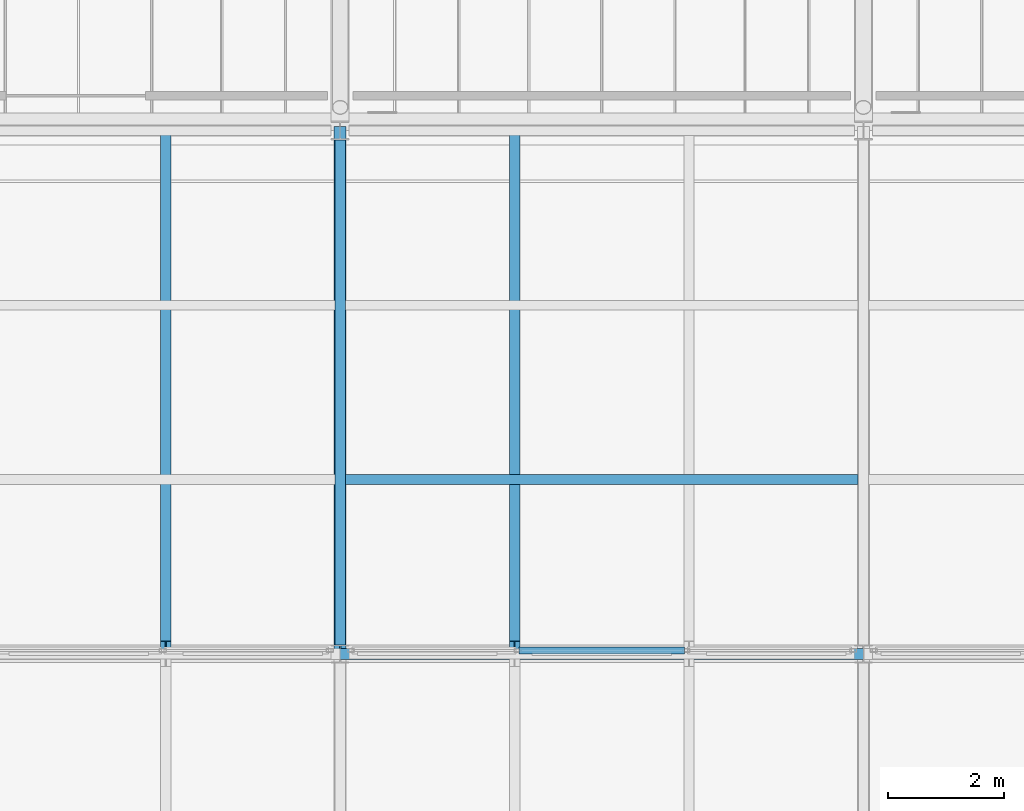
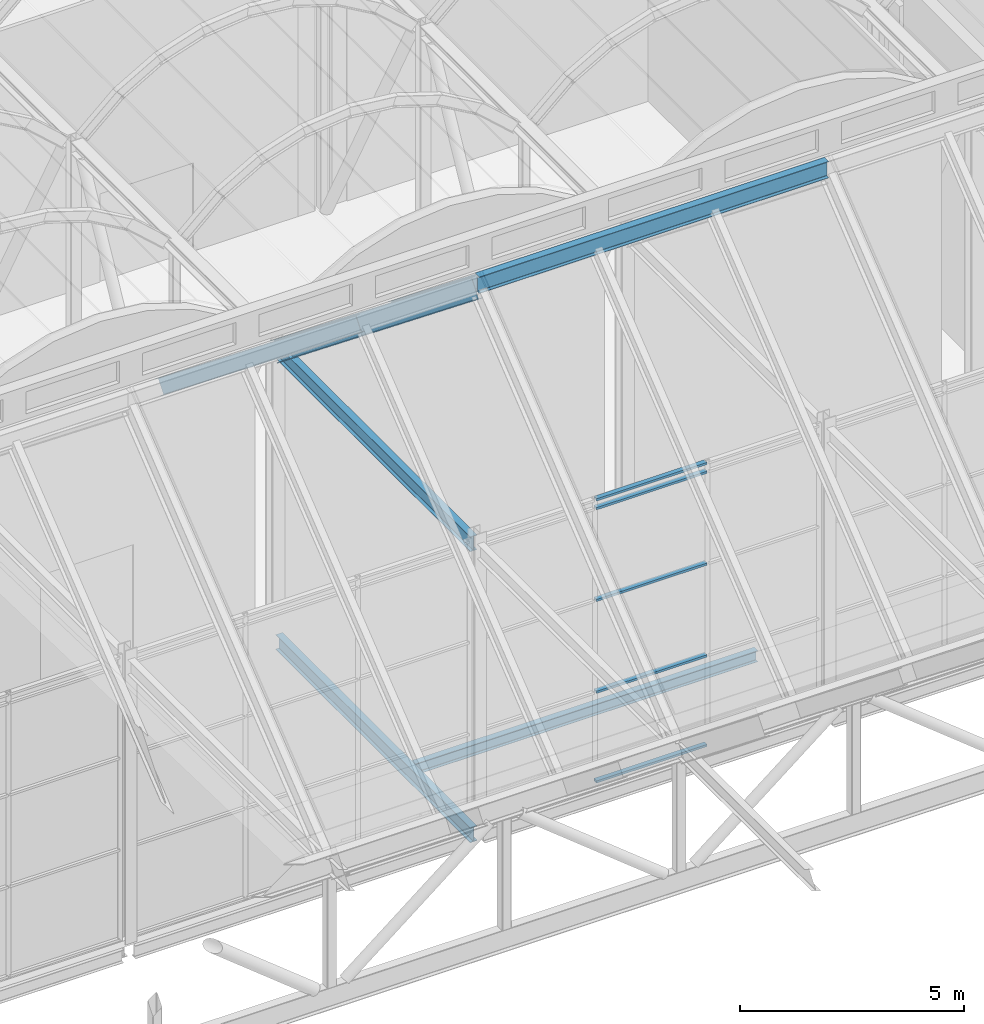
# One storey, part 50 of 144: 8 members, 4 beams, 1 element without a shape of its own.
"""IFC4 building model written with IfcOpenShell, lengths in metres."""

import ifcopenshell
import ifcopenshell.guid

model = None  # the IFC model being written
_history = None  # IfcOwnerHistory: only IFC2X3 demands one
_inside = {}  # id of a spatial element -> (the spatial element, [elements in it])
_under = {}  # id of a project, library or spatial element -> (it, [spatial elements below it])
_declared = {}  # id of a project -> (the project, [libraries it declares])
_typed = {}  # id of a type object -> (the type object, [elements of that type])
_made_of = {}  # id of a material, layer set ... -> (it, [elements and type objects made of it])


def new_model(schema):
    """Start an empty IFC model of exactly this schema.

    Asked for "IFC4X3", IfcOpenShell would pick the latest addendum, in which some entities
    have other attributes; the version numbers below select the first issue.
    IFC2X3 requires an IfcOwnerHistory on every rooted entity: one is made here for all.
    """
    global model, _history
    if schema == "IFC4X3":
        model = ifcopenshell.file(schema_version=(4, 3, 0, 0))
    else:
        model = ifcopenshell.file(schema=schema)
    _inside.clear()
    _under.clear()
    _declared.clear()
    _typed.clear()
    _made_of.clear()
    _history = None
    if model.schema == "IFC2X3":
        org = make("IfcOrganization", Name="unknown")
        user = make(
            "IfcPersonAndOrganization",
            ThePerson=make("IfcPerson", FamilyName="unknown"),
            TheOrganization=org,
        )
        app = make(
            "IfcApplication",
            ApplicationDeveloper=org,
            Version="unknown",
            ApplicationFullName="unknown",
            ApplicationIdentifier="unknown",
        )
        _history = make(
            "IfcOwnerHistory",
            OwningUser=user,
            OwningApplication=app,
            ChangeAction="ADDED",
            CreationDate=0,
        )
    return model


def make(cls, **values):
    """One entity of the class cls with the attributes given. An attribute that is None is left unset."""
    return model.create_entity(
        cls, **{name: value for name, value in values.items() if value is not None}
    )


def rooted(cls, **values):
    """An entity with a GlobalId (a new one), such as an element, a storey or a relation."""
    return make(cls, GlobalId=ifcopenshell.guid.new(), OwnerHistory=_history, **values)


def si_unit(unit_type, name, prefix=None):
    """IfcSIUnit, for example si_unit("LENGTHUNIT", "METRE", prefix="MILLI")."""
    return make("IfcSIUnit", UnitType=unit_type, Prefix=prefix, Name=name)


def assignment(units):
    """IfcUnitAssignment: the units of a project."""
    return None if units is None else make("IfcUnitAssignment", Units=units)


def point(xyz):
    """IfcCartesianPoint."""
    return None if xyz is None else make("IfcCartesianPoint", Coordinates=xyz)


def direction(xyz):
    """IfcDirection."""
    return None if xyz is None else make("IfcDirection", DirectionRatios=xyz)


def frame(location, z_axis=None, x_axis=None):
    """IfcAxis2Placement3D, a coordinate frame: its origin and axes. An axis left out is left unset."""
    return make(
        "IfcAxis2Placement3D",
        Location=point(location),
        Axis=direction(z_axis),
        RefDirection=direction(x_axis),
    )


def frame_2d(location, x_axis=None):
    """IfcAxis2Placement2D, a coordinate frame in the plane: its origin and x axis."""
    return make(
        "IfcAxis2Placement2D", Location=point(location), RefDirection=direction(x_axis)
    )


def origin():
    """The frame at (0, 0, 0) with its axes left unset."""
    return frame((0.0, 0.0, 0.0))


def origin_2d():
    """The frame at (0, 0) in the plane with its x axis left unset."""
    return frame_2d((0.0, 0.0))


def place(relative_to, where):
    """IfcLocalPlacement: puts the frame where relative to a parent placement (None: the world)."""
    return make(
        "IfcLocalPlacement", PlacementRelTo=relative_to, RelativePlacement=where
    )


def context(
    kind, dimensions, precision=None, world=None, true_north=None, identifier=None
):
    """IfcGeometricRepresentationContext, for example the 3D "Model" context."""
    return make(
        "IfcGeometricRepresentationContext",
        ContextIdentifier=identifier,
        ContextType=kind,
        CoordinateSpaceDimension=dimensions,
        Precision=precision,
        WorldCoordinateSystem=world,
        TrueNorth=true_north,
    )


def subcontext(parent, identifier, kind, view, scale=None):
    """IfcGeometricRepresentationSubContext, for example "Body" below "Model"."""
    return make(
        "IfcGeometricRepresentationSubContext",
        ContextIdentifier=identifier,
        ContextType=kind,
        ParentContext=parent,
        TargetScale=scale,
        TargetView=view,
    )


def project(units=None, contexts=None):
    """IfcProject with its units and contexts."""
    return rooted(
        "IfcProject",
        Name="project",
        RepresentationContexts=contexts,
        UnitsInContext=assignment(units),
    )


def spatial(cls, under=None, at=None, **own):
    """A site, building, storey or space (cls), placed at a placement, below another one or the project."""
    s = rooted(cls, ObjectPlacement=at, **own)
    if under is not None:
        _under.setdefault(under.id(), (under, []))[1].append(s)
    return s


def profile(cls, at=None, kind="AREA", **sizes):
    """A parametric profile (cls). Its sizes go by their IFC names, for example OverallWidth=200.0."""
    return make(cls, ProfileType=kind, Position=at, **sizes)


def hollow_rectangle(**sizes):
    """IfcRectangleHollowProfileDef."""
    return profile("IfcRectangleHollowProfileDef", **sizes)


def i_section(**sizes):
    """IfcIShapeProfileDef."""
    return profile("IfcIShapeProfileDef", **sizes)


def extrude(swept, where, along, depth):
    """IfcExtrudedAreaSolid: the profile swept, set in the frame where, extruded along a direction by depth."""
    return make(
        "IfcExtrudedAreaSolid",
        SweptArea=swept,
        Position=where,
        ExtrudedDirection=direction(along),
        Depth=depth,
    )


def shape(context_of_items, identifier, shape_type, items):
    """IfcShapeRepresentation: the items that make up one representation, for example the "Body"."""
    return make(
        "IfcShapeRepresentation",
        ContextOfItems=context_of_items,
        RepresentationIdentifier=identifier,
        RepresentationType=shape_type,
        Items=items,
    )


def material(Name=None, Category=None):
    """IfcMaterial."""
    return make("IfcMaterial", Name=Name, Category=Category)


def layer(
    of_material, thickness, ventilated=None, Name=None, Category=None, Priority=None
):
    """IfcMaterialLayer: one layer of a wall or slab, of a material (None: an air gap)."""
    return make(
        "IfcMaterialLayer",
        Material=of_material,
        LayerThickness=thickness,
        IsVentilated=ventilated,
        Name=Name,
        Category=Category,
        Priority=Priority,
    )


def layer_set(layers, Name=None):
    """IfcMaterialLayerSet."""
    return make("IfcMaterialLayerSet", MaterialLayers=layers, LayerSetName=Name)


def material_profile(
    of_material, cross_section, Name=None, Category=None, Priority=None
):
    """IfcMaterialProfile: a cross section and its material."""
    return make(
        "IfcMaterialProfile",
        Name=Name,
        Material=of_material,
        Profile=cross_section,
        Priority=Priority,
        Category=Category,
    )


def profile_set(profiles, Name=None, composite=None):
    """IfcMaterialProfileSet."""
    return make(
        "IfcMaterialProfileSet",
        Name=Name,
        MaterialProfiles=profiles,
        CompositeProfile=composite,
    )


def made_of(thing, what):
    """Note that an element or type object is made of a material, layer set ...; save() writes the relation."""
    if what is not None:
        _made_of.setdefault(what.id(), (what, []))[1].append(thing)
    return thing


def type_object(cls, material=None, **own):
    """A type object (cls), such as IfcWallType, which elements share."""
    return made_of(rooted(cls, **own), material)


def element(
    cls,
    number,
    at=None,
    inside=None,
    cuts=None,
    type_object=None,
    material=None,
    context=None,
    identifier="Body",
    shape_type=None,
    held_by="IfcProductDefinitionShape",
    body=None,
    shapes=None,
    **own,
):
    """One element of the class cls, such as IfcWall. Its Tag is "e" and its number.

    at: its placement. inside: the storey or other place that contains it. cuts: it is an
    opening in that element (IfcRelVoidsElement). A single representation is given by context,
    identifier, shape_type and body (its items); several are given by shapes. held_by: the class
    of the entity that holds the representations. save() writes the other relations.
    """
    e = rooted(cls, Tag="e%d" % number, ObjectPlacement=at, **own)
    if body is not None:
        shapes = [shape(context, identifier, shape_type, body)]
    if shapes is not None:
        e.Representation = make(held_by, Representations=shapes)
    if inside is not None:
        _inside.setdefault(inside.id(), (inside, []))[1].append(e)
    if cuts is not None:
        rooted(
            "IfcRelVoidsElement", RelatingBuildingElement=cuts, RelatedOpeningElement=e
        )
    if type_object is not None:
        _typed.setdefault(type_object.id(), (type_object, []))[1].append(e)
    return made_of(e, material)


def aggregate(whole, parts):
    """IfcRelAggregates: a whole, such as a stair, and the parts it consists of."""
    return rooted("IfcRelAggregates", RelatingObject=whole, RelatedObjects=parts)


def save(model, path):
    """Write the relations noted so far, then the file.

    IfcRelAggregates (storeys below a building ...), IfcRelContainedInSpatialStructure (elements
    in a storey), IfcRelDefinesByType, IfcRelAssociatesMaterial and IfcRelDeclares: one each for
    every whole, place, type object, material and project.
    """
    for whole, parts in _under.values():
        aggregate(whole, parts)
    for where, things in _inside.values():
        rooted(
            "IfcRelContainedInSpatialStructure",
            RelatedElements=things,
            RelatingStructure=where,
        )
    for kind, things in _typed.values():
        rooted("IfcRelDefinesByType", RelatedObjects=things, RelatingType=kind)
    for what, things in _made_of.values():
        rooted("IfcRelAssociatesMaterial", RelatedObjects=things, RelatingMaterial=what)
    for by, libraries in _declared.values():
        rooted("IfcRelDeclares", RelatingContext=by, RelatedDefinitions=libraries)
    model.write(path)


model = new_model("IFC4")

# Units and contexts
model_context = context("Model", 3, precision=1e-05, world=origin(), true_north=direction((0.0, 1.0)))
body_context = subcontext(model_context, "Body", "Model", "MODEL_VIEW")
ifc_project = project(units=[si_unit("LENGTHUNIT", "METRE"), si_unit("AREAUNIT", "SQUARE_METRE"), si_unit("VOLUMEUNIT", "CUBIC_METRE"), si_unit("PLANEANGLEUNIT", "RADIAN"), si_unit("MASSUNIT", "GRAM", prefix="KILO")], contexts=[model_context])

# Site, building, storey
site_placement = place(None, origin())
site = spatial("IfcSite", under=ifc_project, at=site_placement, CompositionType="ELEMENT")
building_placement = place(site_placement, origin())
building = spatial("IfcBuilding", under=site, at=building_placement, Name="Shorebreak Coast Museum", CompositionType="ELEMENT")
storey_placement = place(building_placement, frame((0.0, 0.0, 36.0)))
storey = spatial("IfcBuildingStorey", under=building, at=storey_placement, Name="L06", CompositionType="ELEMENT", Elevation=36.0)

# Beams
ifc_material_1 = material(Name="Steel Grade 300", Category="steel")
ifc_material_profile_1 = material_profile(ifc_material_1, i_section(OverallWidth=0.177978515625, OverallDepth=0.406494140625, WebThickness=0.0078125, FlangeThickness=0.0126953125, FilletRadius=0.011474609375, at=origin_2d()), Name="410UB59.7")
ifc_profile_set_1 = profile_set([ifc_material_profile_1], Name="Steel Grade 300")
beam_type_1 = type_object("IfcBeamType", Name="Floor girder north-south 410UB59.7", PredefinedType="BEAM", material=ifc_profile_set_1)
beam_1_placement = place(storey_placement, frame((81.0, 81.1572265625, -0.378173828125), z_axis=(0.0, 1.0, 0.0), x_axis=(-1.0, 0.0, 0.0)))
element("IfcBeam", 1, at=beam_1_placement, inside=storey, type_object=beam_type_1, Name="Floor girder north-south L06 10K", PredefinedType="BEAM", context=body_context, shape_type="SweptSolid", body=[
    extrude(i_section(OverallWidth=0.177978515625, OverallDepth=0.406494140625, WebThickness=0.0078125, FlangeThickness=0.0126953125, FilletRadius=0.011474609375, at=origin_2d()), origin(), (0.0, 0.0, 1.0), 8.67919921875),
])
ifc_material_2 = material(Name="Steel Grade 300", Category="steel")
ifc_material_profile_2 = material_profile(ifc_material_2, i_section(OverallWidth=0.1650390625, OverallDepth=0.303955078125, WebThickness=0.006103515625, FlangeThickness=0.01025390625, FilletRadius=0.011474609375, at=origin_2d()), Name="310UB40.4")
ifc_profile_set_2 = profile_set([ifc_material_profile_2], Name="Steel Grade 300")
beam_type_2 = type_object("IfcBeamType", Name="Floor joist 310UB40.4", PredefinedType="JOIST", material=ifc_profile_set_2)
beam_2_placement = place(storey_placement, frame((81.089111328125, 84.0, -0.326904296875), z_axis=(1.0, 0.0, 0.0), x_axis=(0.0, 1.0, 0.0)))
element("IfcBeam", 2, at=beam_2_placement, inside=storey, type_object=beam_type_2, Name="Floor joist L06 bay 10K at 3000 mm", PredefinedType="JOIST", context=body_context, shape_type="SweptSolid", body=[
    extrude(i_section(OverallWidth=0.1650390625, OverallDepth=0.303955078125, WebThickness=0.006103515625, FlangeThickness=0.01025390625, FilletRadius=0.011474609375, at=origin_2d()), origin(), (0.0, 0.0, 1.0), 8.82177734375),
])

# Members
ifc_material_3 = material(Name="Steel Grade 300", Category="steel")
ifc_material_profile_3 = material_profile(ifc_material_3, i_section(OverallWidth=0.177978515625, OverallDepth=0.402587890625, WebThickness=0.007568359375, FlangeThickness=0.010986328125, FilletRadius=0.011474609375, at=origin_2d()), Name="410UB53.7")
ifc_profile_set_3 = profile_set([ifc_material_profile_3], Name="Steel Grade 300")
member_type_1 = type_object("IfcMemberType", Name="Fold rafter 410UB53.7", PredefinedType="RAFTER", material=ifc_profile_set_3)
for number, where, z_axis, x_axis, name in (
    (3, (78.0, 81.094970703125, 14.610107421875), (0.0, 0.780866698312, -0.624697686459), (-1.0, 0.0, 0.0), "Fold rafter FOLD-X line 4 09"),
    (4, (84.0, 81.094970703125, 14.610107421875), (0.0, 0.780866698312, -0.624697686459), (-1.0, 0.0, 0.0), "Fold rafter FOLD-X line 4 11"),
):
    element("IfcMember", number, at=place(storey_placement, frame(where, z_axis=z_axis, x_axis=x_axis)), inside=storey, type_object=member_type_1, Name=name, PredefinedType="RAFTER", context=body_context, shape_type="SweptSolid", body=[
        extrude(i_section(OverallWidth=0.177978515625, OverallDepth=0.402587890625, WebThickness=0.007568359375, FlangeThickness=0.010986328125, FilletRadius=0.011474609375, at=origin_2d()), origin(), (0.0, 0.0, 1.0), 11.282470703125),
    ])
ifc_material_4 = material(Name="Steel Grade 300", Category="steel")
ifc_material_profile_4 = material_profile(ifc_material_4, i_section(OverallWidth=0.208984375, OverallDepth=0.5283203125, WebThickness=0.009521484375, FlangeThickness=0.01318359375, FilletRadius=0.013916015625, at=origin_2d()), Name="530UB82.0")
ifc_profile_set_4 = profile_set([ifc_material_profile_4], Name="Steel Grade 300")
member_type_2 = type_object("IfcMemberType", Name="Fold rib rafter 530UB82.0", PredefinedType="RAFTER", material=ifc_profile_set_4)
member_1_placement = place(storey_placement, frame((81.0, 81.094970703125, 14.52978515625), z_axis=(0.0, 0.780866698312, -0.624697686459), x_axis=(-1.0, 0.0, 0.0)))
element("IfcMember", 5, at=member_1_placement, inside=storey, type_object=member_type_2, Name="Fold rib rafter FOLD-X line 4 10", PredefinedType="RAFTER", context=body_context, shape_type="SweptSolid", body=[
    extrude(i_section(OverallWidth=0.208984375, OverallDepth=0.5283203125, WebThickness=0.009521484375, FlangeThickness=0.01318359375, FilletRadius=0.013916015625, at=origin_2d()), origin(), (0.0, 0.0, 1.0), 11.282470703125),
])

# Beams
ifc_material_5 = material(Name="Steel Grade 300", Category="steel")
ifc_material_profile_5 = material_profile(ifc_material_5, i_section(OverallWidth=0.177978515625, OverallDepth=0.402587890625, WebThickness=0.007568359375, FlangeThickness=0.010986328125, FilletRadius=0.011474609375, at=origin_2d()), Name="410UB53.7")
ifc_profile_set_5 = profile_set([ifc_material_profile_5], Name="Steel Grade 300")
beam_type_3 = type_object("IfcBeamType", Name="Fold rib tie 410UB53.7", PredefinedType="BEAM", material=ifc_profile_set_5)
beam_3_placement = place(storey_placement, frame((81.0, 81.1572265625, 7.54248046875), z_axis=(0.0, 1.0, 0.0), x_axis=(-1.0, 0.0, 0.0)))
element("IfcBeam", 6, at=beam_3_placement, inside=storey, type_object=beam_type_3, Name="Fold rib tie FOLD-X rib 10 K-L", PredefinedType="BEAM", context=body_context, shape_type="SweptSolid", body=[
    extrude(i_section(OverallWidth=0.177978515625, OverallDepth=0.402587890625, WebThickness=0.007568359375, FlangeThickness=0.010986328125, FilletRadius=0.011474609375, at=origin_2d()), origin(), (0.0, 0.0, 1.0), 8.67919921875),
])
ifc_material_6 = material(Name="Steel Grade 300", Category="steel")
ifc_material_profile_6 = material_profile(ifc_material_6, i_section(OverallWidth=0.18994140625, OverallDepth=0.453857421875, WebThickness=0.008544921875, FlangeThickness=0.0126953125, FilletRadius=0.011474609375, at=origin_2d()), Name="460UB67.1")
ifc_profile_set_6 = profile_set([ifc_material_profile_6], Name="Steel Grade 300")
beam_type_4 = type_object("IfcBeamType", Name="Fold ridge beam 460UB67.1", PredefinedType="BEAM", material=ifc_profile_set_6)
beam_4_placement = place(storey_placement, frame((81.0, 81.0, 14.717041015625), z_axis=(1.0, 0.0, 0.0), x_axis=(0.0, 1.0, 0.0)))
element("IfcBeam", 7, at=beam_4_placement, inside=storey, type_object=beam_type_4, Name="Fold ridge beam FOLD-X line K bay 10K", PredefinedType="BEAM", context=body_context, shape_type="SweptSolid", body=[
    extrude(i_section(OverallWidth=0.18994140625, OverallDepth=0.453857421875, WebThickness=0.008544921875, FlangeThickness=0.0126953125, FilletRadius=0.011474609375, at=origin_2d()), origin(), (0.0, 0.0, 1.0), 9.0),
])

# Curtain wall, members
ifc_material_7 = material(Name="Aluminium", Category="aluminium")
ifc_layer = layer(ifc_material_7, 0.1201171875)
ifc_layer_set = layer_set([ifc_layer], Name="Aluminium")
curtain_wall_type = type_object("IfcCurtainWallType", Name="Atrium fire screen", PredefinedType="NOTDEFINED", material=ifc_layer_set)
curtain_wall_placement = place(storey_placement, origin())
curtain_wall = element("IfcCurtainWall", 8, at=curtain_wall_placement, inside=storey, type_object=curtain_wall_type, Name="Atrium screen L06 N 86", PredefinedType="NOTDEFINED")
ifc_material_8 = material(Name="Aluminium", Category="aluminium")
ifc_material_profile_7 = material_profile(ifc_material_8, hollow_rectangle(XDim=0.1201171875, YDim=0.06005859375, WallThickness=0.00341796875, at=origin_2d()), Name="AL 60x120 RHS")
ifc_profile_set_7 = profile_set([ifc_material_profile_7], Name="Aluminium")
member_type_3 = type_object("IfcMemberType", Name="Screen transom 120 x 50", PredefinedType="USERDEFINED", material=ifc_profile_set_7)
member_2_placement = place(storey_placement, frame((84.076171875, 81.06005859375, 0.06005859375), z_axis=(1.0, 0.0, 0.0), x_axis=(0.0, 1.0, 0.0)))
member_2 = element("IfcMember", 9, at=member_2_placement, type_object=member_type_3, Name="CW6 transom 2.1", ObjectType="TRANSOM", PredefinedType="USERDEFINED", context=body_context, shape_type="SweptSolid", body=[
    extrude(hollow_rectangle(XDim=0.1201171875, YDim=0.06005859375, WallThickness=0.00341796875, at=origin_2d()), origin(), (0.0, 0.0, 1.0), 2.84765625),
])
member_3_placement = place(storey_placement, frame((84.076171875, 81.06005859375, 2.5), z_axis=(1.0, 0.0, 0.0), x_axis=(0.0, 1.0, 0.0)))
member_3 = element("IfcMember", 10, at=member_3_placement, type_object=member_type_3, Name="CW6 transom 2.2", ObjectType="TRANSOM", PredefinedType="USERDEFINED", context=body_context, shape_type="SweptSolid", body=[
    extrude(hollow_rectangle(XDim=0.1201171875, YDim=0.06005859375, WallThickness=0.00341796875, at=origin_2d()), origin(), (0.0, 0.0, 1.0), 2.84765625),
])
member_4_placement = place(storey_placement, frame((84.076171875, 81.06005859375, 5.0), z_axis=(1.0, 0.0, 0.0), x_axis=(0.0, 1.0, 0.0)))
member_4 = element("IfcMember", 11, at=member_4_placement, type_object=member_type_3, Name="CW6 transom 2.3", ObjectType="TRANSOM", PredefinedType="USERDEFINED", context=body_context, shape_type="SweptSolid", body=[
    extrude(hollow_rectangle(XDim=0.1201171875, YDim=0.06005859375, WallThickness=0.00341796875, at=origin_2d()), origin(), (0.0, 0.0, 1.0), 2.84765625),
])
member_5_placement = place(storey_placement, frame((84.076171875, 81.06005859375, 7.5), z_axis=(1.0, 0.0, 0.0), x_axis=(0.0, 1.0, 0.0)))
member_5 = element("IfcMember", 12, at=member_5_placement, type_object=member_type_3, Name="CW6 transom 2.4", ObjectType="TRANSOM", PredefinedType="USERDEFINED", context=body_context, shape_type="SweptSolid", body=[
    extrude(hollow_rectangle(XDim=0.1201171875, YDim=0.06005859375, WallThickness=0.00341796875, at=origin_2d()), origin(), (0.0, 0.0, 1.0), 2.84765625),
])
member_6_placement = place(storey_placement, frame((84.076171875, 81.06005859375, 7.739990234375), z_axis=(1.0, 0.0, 0.0), x_axis=(0.0, 1.0, 0.0)))
member_6 = element("IfcMember", 13, at=member_6_placement, type_object=member_type_3, Name="CW6 transom 2.5", ObjectType="TRANSOM", PredefinedType="USERDEFINED", context=body_context, shape_type="SweptSolid", body=[
    extrude(hollow_rectangle(XDim=0.1201171875, YDim=0.06005859375, WallThickness=0.00341796875, at=origin_2d()), origin(), (0.0, 0.0, 1.0), 2.84765625),
])
aggregate(curtain_wall, [member_2, member_3, member_4, member_5, member_6])

save(model, "model.ifc")
